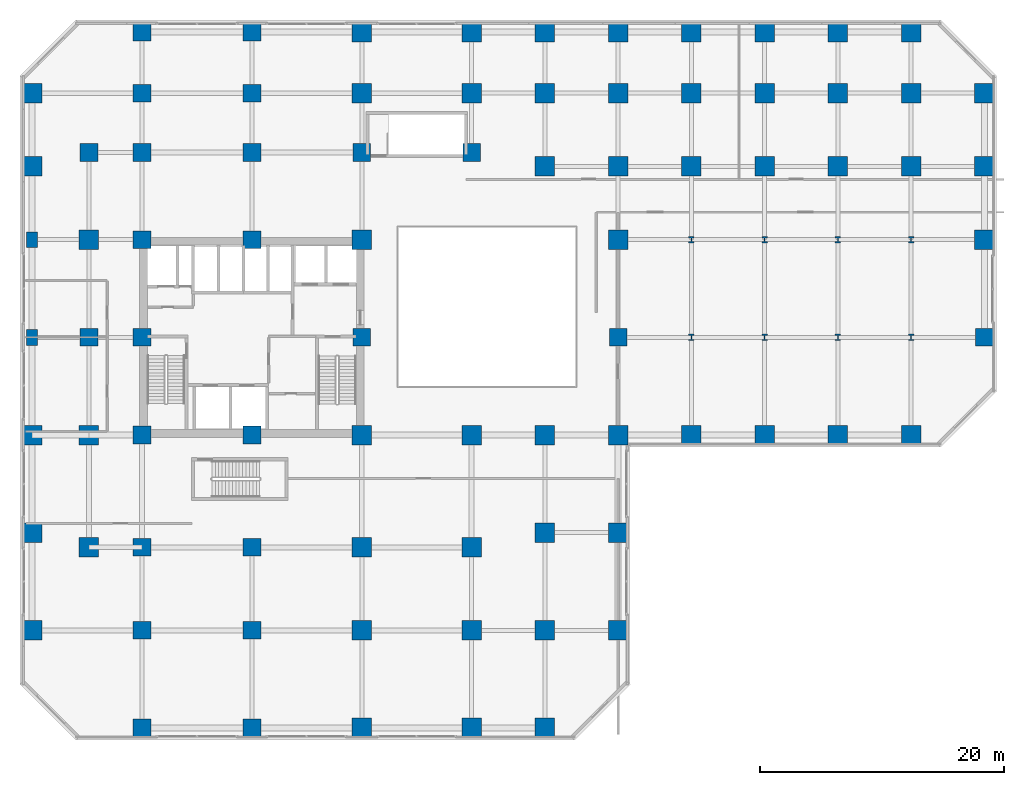
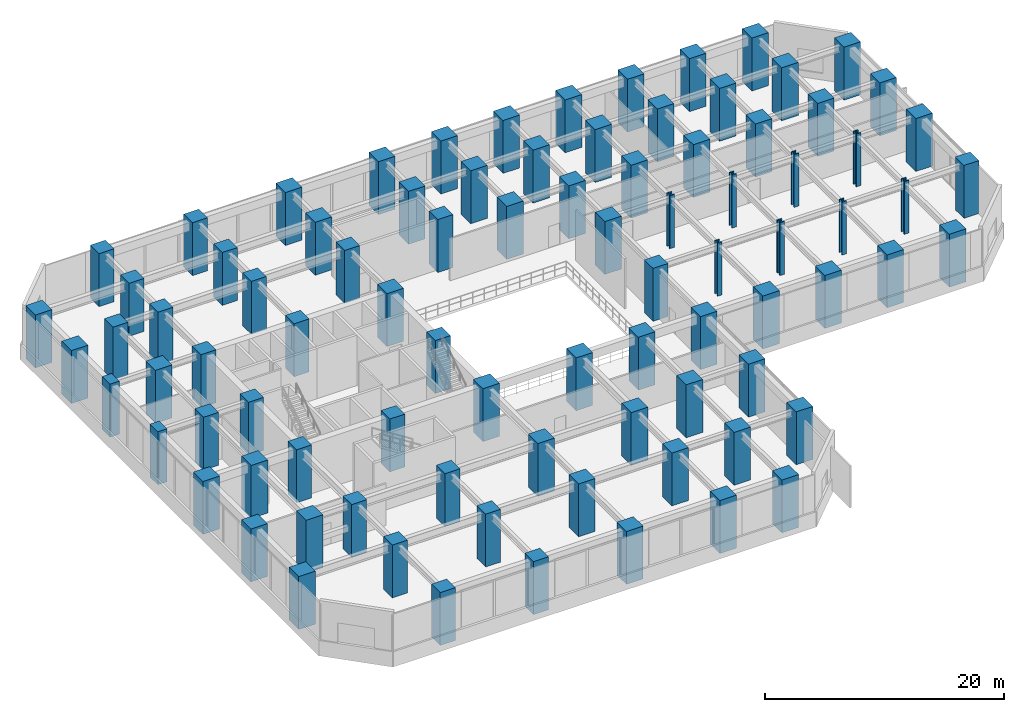
# One storey, part 1 of 33: 88 columns.
"""IFC4 building model written with IfcOpenShell, lengths in metres."""

import ifcopenshell
import ifcopenshell.guid

model = None  # the IFC model being written
_history = None  # IfcOwnerHistory: only IFC2X3 demands one
_inside = {}  # id of a spatial element -> (the spatial element, [elements in it])
_under = {}  # id of a project, library or spatial element -> (it, [spatial elements below it])
_declared = {}  # id of a project -> (the project, [libraries it declares])
_typed = {}  # id of a type object -> (the type object, [elements of that type])
_made_of = {}  # id of a material, layer set ... -> (it, [elements and type objects made of it])


def new_model(schema):
    """Start an empty IFC model of exactly this schema.

    Asked for "IFC4X3", IfcOpenShell would pick the latest addendum, in which some entities
    have other attributes; the version numbers below select the first issue.
    IFC2X3 requires an IfcOwnerHistory on every rooted entity: one is made here for all.
    """
    global model, _history
    if schema == "IFC4X3":
        model = ifcopenshell.file(schema_version=(4, 3, 0, 0))
    else:
        model = ifcopenshell.file(schema=schema)
    _inside.clear()
    _under.clear()
    _declared.clear()
    _typed.clear()
    _made_of.clear()
    _history = None
    if model.schema == "IFC2X3":
        org = make("IfcOrganization", Name="unknown")
        user = make(
            "IfcPersonAndOrganization",
            ThePerson=make("IfcPerson", FamilyName="unknown"),
            TheOrganization=org,
        )
        app = make(
            "IfcApplication",
            ApplicationDeveloper=org,
            Version="unknown",
            ApplicationFullName="unknown",
            ApplicationIdentifier="unknown",
        )
        _history = make(
            "IfcOwnerHistory",
            OwningUser=user,
            OwningApplication=app,
            ChangeAction="ADDED",
            CreationDate=0,
        )
    return model


def make(cls, **values):
    """One entity of the class cls with the attributes given. An attribute that is None is left unset."""
    return model.create_entity(
        cls, **{name: value for name, value in values.items() if value is not None}
    )


def rooted(cls, **values):
    """An entity with a GlobalId (a new one), such as an element, a storey or a relation."""
    return make(cls, GlobalId=ifcopenshell.guid.new(), OwnerHistory=_history, **values)


def si_unit(unit_type, name, prefix=None):
    """IfcSIUnit, for example si_unit("LENGTHUNIT", "METRE", prefix="MILLI")."""
    return make("IfcSIUnit", UnitType=unit_type, Prefix=prefix, Name=name)


def assignment(units):
    """IfcUnitAssignment: the units of a project."""
    return None if units is None else make("IfcUnitAssignment", Units=units)


def point(xyz):
    """IfcCartesianPoint."""
    return None if xyz is None else make("IfcCartesianPoint", Coordinates=xyz)


def direction(xyz):
    """IfcDirection."""
    return None if xyz is None else make("IfcDirection", DirectionRatios=xyz)


def frame(location, z_axis=None, x_axis=None):
    """IfcAxis2Placement3D, a coordinate frame: its origin and axes. An axis left out is left unset."""
    return make(
        "IfcAxis2Placement3D",
        Location=point(location),
        Axis=direction(z_axis),
        RefDirection=direction(x_axis),
    )


def frame_2d(location, x_axis=None):
    """IfcAxis2Placement2D, a coordinate frame in the plane: its origin and x axis."""
    return make(
        "IfcAxis2Placement2D", Location=point(location), RefDirection=direction(x_axis)
    )


def origin():
    """The frame at (0, 0, 0) with its axes left unset."""
    return frame((0.0, 0.0, 0.0))


def origin_2d():
    """The frame at (0, 0) in the plane with its x axis left unset."""
    return frame_2d((0.0, 0.0))


def place(relative_to, where):
    """IfcLocalPlacement: puts the frame where relative to a parent placement (None: the world)."""
    return make(
        "IfcLocalPlacement", PlacementRelTo=relative_to, RelativePlacement=where
    )


def context(
    kind, dimensions, precision=None, world=None, true_north=None, identifier=None
):
    """IfcGeometricRepresentationContext, for example the 3D "Model" context."""
    return make(
        "IfcGeometricRepresentationContext",
        ContextIdentifier=identifier,
        ContextType=kind,
        CoordinateSpaceDimension=dimensions,
        Precision=precision,
        WorldCoordinateSystem=world,
        TrueNorth=true_north,
    )


def subcontext(parent, identifier, kind, view, scale=None):
    """IfcGeometricRepresentationSubContext, for example "Body" below "Model"."""
    return make(
        "IfcGeometricRepresentationSubContext",
        ContextIdentifier=identifier,
        ContextType=kind,
        ParentContext=parent,
        TargetScale=scale,
        TargetView=view,
    )


def project(units=None, contexts=None):
    """IfcProject with its units and contexts."""
    return rooted(
        "IfcProject",
        Name="project",
        RepresentationContexts=contexts,
        UnitsInContext=assignment(units),
    )


def spatial(cls, under=None, at=None, **own):
    """A site, building, storey or space (cls), placed at a placement, below another one or the project."""
    s = rooted(cls, ObjectPlacement=at, **own)
    if under is not None:
        _under.setdefault(under.id(), (under, []))[1].append(s)
    return s


def profile(cls, at=None, kind="AREA", **sizes):
    """A parametric profile (cls). Its sizes go by their IFC names, for example OverallWidth=200.0."""
    return make(cls, ProfileType=kind, Position=at, **sizes)


def rectangle(**sizes):
    """IfcRectangleProfileDef."""
    return profile("IfcRectangleProfileDef", **sizes)


def i_section(**sizes):
    """IfcIShapeProfileDef."""
    return profile("IfcIShapeProfileDef", **sizes)


def extrude(swept, where, along, depth):
    """IfcExtrudedAreaSolid: the profile swept, set in the frame where, extruded along a direction by depth."""
    return make(
        "IfcExtrudedAreaSolid",
        SweptArea=swept,
        Position=where,
        ExtrudedDirection=direction(along),
        Depth=depth,
    )


def shape(context_of_items, identifier, shape_type, items):
    """IfcShapeRepresentation: the items that make up one representation, for example the "Body"."""
    return make(
        "IfcShapeRepresentation",
        ContextOfItems=context_of_items,
        RepresentationIdentifier=identifier,
        RepresentationType=shape_type,
        Items=items,
    )


def source(mapping_origin, context_of_items, identifier, shape_type, items):
    """IfcRepresentationMap: a shape defined once, which mapped items show again and again."""
    return make(
        "IfcRepresentationMap",
        MappingOrigin=mapping_origin,
        MappedRepresentation=shape(context_of_items, identifier, shape_type, items),
    )


def transform(
    local_origin,
    x_axis=None,
    y_axis=None,
    z_axis=None,
    scale=None,
    scale2=None,
    scale3=None,
    uniform=True,
):
    """IfcCartesianTransformationOperator3D, or its non-uniform kind. x_axis, y_axis, z_axis: its Axis1, 2, 3."""
    if uniform:
        return make(
            "IfcCartesianTransformationOperator3D",
            Axis1=direction(x_axis),
            Axis2=direction(y_axis),
            LocalOrigin=point(local_origin),
            Scale=scale,
            Axis3=direction(z_axis),
        )
    return make(
        "IfcCartesianTransformationOperator3DnonUniform",
        Axis1=direction(x_axis),
        Axis2=direction(y_axis),
        LocalOrigin=point(local_origin),
        Scale=scale,
        Axis3=direction(z_axis),
        Scale2=scale2,
        Scale3=scale3,
    )


def mapped(mapping_source, mapping_target):
    """IfcMappedItem: shows the shape of a source again, moved by a transform."""
    return make(
        "IfcMappedItem", MappingSource=mapping_source, MappingTarget=mapping_target
    )


def material(Name=None, Category=None):
    """IfcMaterial."""
    return make("IfcMaterial", Name=Name, Category=Category)


def material_profile(
    of_material, cross_section, Name=None, Category=None, Priority=None
):
    """IfcMaterialProfile: a cross section and its material."""
    return make(
        "IfcMaterialProfile",
        Name=Name,
        Material=of_material,
        Profile=cross_section,
        Priority=Priority,
        Category=Category,
    )


def profile_set(profiles, Name=None, composite=None):
    """IfcMaterialProfileSet."""
    return make(
        "IfcMaterialProfileSet",
        Name=Name,
        MaterialProfiles=profiles,
        CompositeProfile=composite,
    )


def made_of(thing, what):
    """Note that an element or type object is made of a material, layer set ...; save() writes the relation."""
    if what is not None:
        _made_of.setdefault(what.id(), (what, []))[1].append(thing)
    return thing


def type_object(cls, material=None, **own):
    """A type object (cls), such as IfcWallType, which elements share."""
    return made_of(rooted(cls, **own), material)


def element(
    cls,
    number,
    at=None,
    inside=None,
    cuts=None,
    type_object=None,
    material=None,
    context=None,
    identifier="Body",
    shape_type=None,
    held_by="IfcProductDefinitionShape",
    body=None,
    shapes=None,
    **own,
):
    """One element of the class cls, such as IfcWall. Its Tag is "e" and its number.

    at: its placement. inside: the storey or other place that contains it. cuts: it is an
    opening in that element (IfcRelVoidsElement). A single representation is given by context,
    identifier, shape_type and body (its items); several are given by shapes. held_by: the class
    of the entity that holds the representations. save() writes the other relations.
    """
    e = rooted(cls, Tag="e%d" % number, ObjectPlacement=at, **own)
    if body is not None:
        shapes = [shape(context, identifier, shape_type, body)]
    if shapes is not None:
        e.Representation = make(held_by, Representations=shapes)
    if inside is not None:
        _inside.setdefault(inside.id(), (inside, []))[1].append(e)
    if cuts is not None:
        rooted(
            "IfcRelVoidsElement", RelatingBuildingElement=cuts, RelatedOpeningElement=e
        )
    if type_object is not None:
        _typed.setdefault(type_object.id(), (type_object, []))[1].append(e)
    return made_of(e, material)


def aggregate(whole, parts):
    """IfcRelAggregates: a whole, such as a stair, and the parts it consists of."""
    return rooted("IfcRelAggregates", RelatingObject=whole, RelatedObjects=parts)


def save(model, path):
    """Write the relations noted so far, then the file.

    IfcRelAggregates (storeys below a building ...), IfcRelContainedInSpatialStructure (elements
    in a storey), IfcRelDefinesByType, IfcRelAssociatesMaterial and IfcRelDeclares: one each for
    every whole, place, type object, material and project.
    """
    for whole, parts in _under.values():
        aggregate(whole, parts)
    for where, things in _inside.values():
        rooted(
            "IfcRelContainedInSpatialStructure",
            RelatedElements=things,
            RelatingStructure=where,
        )
    for kind, things in _typed.values():
        rooted("IfcRelDefinesByType", RelatedObjects=things, RelatingType=kind)
    for what, things in _made_of.values():
        rooted("IfcRelAssociatesMaterial", RelatedObjects=things, RelatingMaterial=what)
    for by, libraries in _declared.values():
        rooted("IfcRelDeclares", RelatingContext=by, RelatedDefinitions=libraries)
    model.write(path)


model = new_model("IFC4")

# Units and contexts
model_context = context("Model", 3, precision=1e-05, world=origin(), true_north=direction((0.0, 1.0)))
body_context = subcontext(model_context, "Body", "Model", "MODEL_VIEW")
ifc_project = project(units=[si_unit("LENGTHUNIT", "METRE"), si_unit("AREAUNIT", "SQUARE_METRE"), si_unit("VOLUMEUNIT", "CUBIC_METRE"), si_unit("PLANEANGLEUNIT", "RADIAN"), si_unit("MASSUNIT", "GRAM", prefix="KILO")], contexts=[model_context])

# Site, building, storey
site_placement = place(None, origin())
site = spatial("IfcSite", under=ifc_project, at=site_placement, CompositionType="ELEMENT")
building_placement = place(site_placement, origin())
building = spatial("IfcBuilding", under=site, at=building_placement, Name="Torre Montelarca", CompositionType="ELEMENT")
storey_placement = place(building_placement, frame((0.0, 0.0, 12.0)))
storey = spatial("IfcBuildingStorey", under=building, at=storey_placement, Name="L03", CompositionType="ELEMENT", Elevation=12.0)

# Columns
ifc_material_1 = material(Name="Concrete C70/85", Category="concrete")
ifc_material_profile_1 = material_profile(ifc_material_1, rectangle(XDim=1.60009765625, YDim=1.60009765625, at=origin_2d()), Name="RC1600X1600", Category="concrete")
ifc_profile_set_1 = profile_set([ifc_material_profile_1], Name="Concrete C70/85")
column_type_1 = type_object("IfcColumnType", Name="COL-RC1600-EXT", PredefinedType="COLUMN", material=ifc_profile_set_1)
shared_shape_1 = source(origin(), body_context, "Body", "SweptSolid", [
    extrude(rectangle(XDim=1.60009765625, YDim=1.60009765625, at=origin_2d()), origin(), (0.0, 0.0, 1.0), 5.3984375),
])
for number, where, z_axis, x_axis, name in (
    (1, (0.0, 8.0, 0.000732421875), (0.0, 0.0, 1.0), (1.0, 0.0, 0.0), "L03 Perimeter Mega Column 1/B"),
    (2, (0.0, 16.0, 0.000732421875), (0.0, 0.0, 1.0), (1.0, 0.0, 0.0), "L03 Perimeter Mega Column 1/C"),
    (3, (0.0, 24.0, 0.000732421875), (0.0, 0.0, 1.0), (1.0, 0.0, 0.0), "L03 Perimeter Mega Column 1/D"),
    (4, (0.0, 46.0, 0.000732421875), (0.0, 0.0, 1.0), (1.0, 0.0, 0.0), "L03 Perimeter Mega Column 1/G"),
    (5, (0.0, 52.0, 0.000732421875), (0.0, 0.0, 1.0), (1.0, 0.0, 0.0), "L03 Perimeter Mega Column 1/H"),
    (6, (27.0, 0.0, 0.000732421875), (0.0, 0.0, 1.0), (1.0, 0.0, 0.0), "L03 Perimeter Mega Column 4/A"),
    (7, (27.0, 24.0, 0.000732421875), (0.0, 0.0, 1.0), (1.0, 0.0, 0.0), "L03 Perimeter Mega Column 4/D"),
    (8, (27.0, 57.0, 0.000732421875), (0.0, 0.0, 1.0), (1.0, 0.0, 0.0), "L03 Perimeter Mega Column 4/J"),
    (9, (36.0, 0.0, 0.000732421875), (0.0, 0.0, 1.0), (1.0, 0.0, 0.0), "L03 Perimeter Mega Column 5/A"),
    (10, (36.0, 24.0, 0.000732421875), (0.0, 0.0, 1.0), (1.0, 0.0, 0.0), "L03 Perimeter Mega Column 5/D"),
    (11, (36.0, 57.0, 0.000732421875), (0.0, 0.0, 1.0), (1.0, 0.0, 0.0), "L03 Perimeter Mega Column 5/J"),
    (12, (42.0, 0.0, 0.000732421875), (0.0, 0.0, 1.0), (1.0, 0.0, 0.0), "L03 Perimeter Mega Column 6/A"),
    (13, (42.0, 24.0, 0.000732421875), (0.0, 0.0, 1.0), (1.0, 0.0, 0.0), "L03 Perimeter Mega Column 6/D"),
    (14, (42.0, 57.0, 0.000732421875), (0.0, 0.0, 1.0), (1.0, 0.0, 0.0), "L03 Perimeter Mega Column 6/J"),
    (15, (48.0, 8.0, 0.000732421875), (0.0, 0.0, 1.0), (1.0, 0.0, 0.0), "L03 Perimeter Mega Column 7/B"),
    (16, (48.0, 16.0, 0.000732421875), (0.0, 0.0, 1.0), (1.0, 0.0, 0.0), "L03 Perimeter Mega Column 7/C"),
    (17, (48.0, 24.0, 0.000732421875), (0.0, 0.0, 1.0), (1.0, 0.0, 0.0), "L03 Perimeter Mega Column 7/D"),
    (18, (48.0, 57.0, 0.000732421875), (0.0, 0.0, 1.0), (1.0, 0.0, 0.0), "L03 Perimeter Mega Column 7/J"),
    (19, (54.0, 24.0, 0.000732421875), (0.0, 0.0, 1.0), (1.0, 0.0, 0.0), "L03 Perimeter Mega Column 8/D"),
    (20, (54.0, 57.0, 0.000732421875), (0.0, 0.0, 1.0), (1.0, 0.0, 0.0), "L03 Perimeter Mega Column 8/J"),
    (21, (60.0, 24.0, 0.000732421875), (0.0, 0.0, 1.0), (1.0, 0.0, 0.0), "L03 Perimeter Mega Column 9/D"),
    (22, (60.0, 57.0, 0.000732421875), (0.0, 0.0, 1.0), (1.0, 0.0, 0.0), "L03 Perimeter Mega Column 9/J"),
    (23, (66.0, 24.0, 0.000732421875), (0.0, 0.0, 1.0), (1.0, 0.0, 0.0), "L03 Perimeter Mega Column 10/D"),
    (24, (66.0, 57.0, 0.000732421875), (0.0, 0.0, 1.0), (1.0, 0.0, 0.0), "L03 Perimeter Mega Column 10/J"),
    (25, (72.0, 24.0, 0.000732421875), (0.0, 0.0, 1.0), (1.0, 0.0, 0.0), "L03 Perimeter Mega Column 11/D"),
    (26, (72.0, 57.0, 0.000732421875), (0.0, 0.0, 1.0), (1.0, 0.0, 0.0), "L03 Perimeter Mega Column 11/J"),
    (27, (78.0, 40.0, 0.000732421875), (0.0, 0.0, 1.0), (1.0, 0.0, 0.0), "L03 Perimeter Mega Column 12/F"),
    (28, (78.0, 46.0, 0.000732421875), (0.0, 0.0, 1.0), (1.0, 0.0, 0.0), "L03 Perimeter Mega Column 12/G"),
    (29, (78.0, 52.0, 0.000732421875), (0.0, 0.0, 1.0), (1.0, 0.0, 0.0), "L03 Perimeter Mega Column 12/H"),
    (30, (4.64990234375, 24.0, 0.000732421875), (0.0, 0.0, 1.0), (1.0, 0.0, 0.0), "L03 Perimeter Mega Column 1W/D"),
):
    element("IfcColumn", number, at=place(storey_placement, frame(where, z_axis=z_axis, x_axis=x_axis)), inside=storey, type_object=column_type_1, Name=name, PredefinedType="COLUMN", context=body_context, shape_type="MappedRepresentation", body=[
        mapped(shared_shape_1, transform((0.0, 0.0, 0.0), scale=1.0)),
    ])
ifc_material_2 = material(Name="Concrete C55/67", Category="concrete")
ifc_material_profile_2 = material_profile(ifc_material_2, rectangle(XDim=0.89990234375, YDim=1.300048828125, at=origin_2d()), Name="RC1300X900", Category="concrete")
ifc_profile_set_2 = profile_set([ifc_material_profile_2], Name="Concrete C55/67")
column_type_2 = type_object("IfcColumnType", Name="COL-PIL1300-EXT", PredefinedType="PILASTER", material=ifc_profile_set_2)
shared_shape_2 = source(origin(), body_context, "Body", "SweptSolid", [
    extrude(rectangle(XDim=0.89990234375, YDim=1.300048828125, at=origin_2d()), origin(), (0.0, 0.0, 1.0), 5.3984375),
])
for number, where, z_axis, x_axis, name in (
    (31, (0.0, 32.0, 0.000732421875), (0.0, 0.0, 1.0), (1.0, 0.0, 0.0), "L03 Column 1/E"),
    (32, (0.0, 40.0, 0.000732421875), (0.0, 0.0, 1.0), (1.0, 0.0, 0.0), "L03 Column 1/F"),
):
    element("IfcColumn", number, at=place(storey_placement, frame(where, z_axis=z_axis, x_axis=x_axis)), inside=storey, type_object=column_type_2, Name=name, PredefinedType="PILASTER", context=body_context, shape_type="MappedRepresentation", body=[
        mapped(shared_shape_2, transform((0.0, 0.0, 0.0), scale=1.0)),
    ])
ifc_material_profile_3 = material_profile(ifc_material_1, rectangle(XDim=1.449951171875, YDim=1.449951171875, at=origin_2d()), Name="RC1450X1450", Category="concrete")
ifc_profile_set_3 = profile_set([ifc_material_profile_3], Name="Concrete C70/85")
column_type_3 = type_object("IfcColumnType", Name="COL-RC1450-EXT", PredefinedType="COLUMN", material=ifc_profile_set_3)
shared_shape_3 = source(origin(), body_context, "Body", "SweptSolid", [
    extrude(rectangle(XDim=1.449951171875, YDim=1.449951171875, at=origin_2d()), origin(), (0.0, 0.0, 1.0), 5.3984375),
])
for number, where, z_axis, x_axis, name in (
    (33, (9.0, 0.0, 0.000732421875), (0.0, 0.0, 1.0), (1.0, 0.0, 0.0), "L03 Perimeter Mega Column 2/A"),
    (34, (9.0, 24.0, 0.000732421875), (0.0, 0.0, 1.0), (1.0, 0.0, 0.0), "L03 Perimeter Mega Column 2/D"),
    (35, (9.0, 57.0, 0.000732421875), (0.0, 0.0, 1.0), (1.0, 0.0, 0.0), "L03 Perimeter Mega Column 2/J"),
    (36, (18.0, 0.0, 0.000732421875), (0.0, 0.0, 1.0), (1.0, 0.0, 0.0), "L03 Perimeter Mega Column 3/A"),
    (37, (18.0, 24.0, 0.000732421875), (0.0, 0.0, 1.0), (1.0, 0.0, 0.0), "L03 Perimeter Mega Column 3/D"),
    (38, (18.0, 57.0, 0.000732421875), (0.0, 0.0, 1.0), (1.0, 0.0, 0.0), "L03 Perimeter Mega Column 3/J"),
    (39, (78.0, 32.0, 0.000732421875), (0.0, 0.0, 1.0), (1.0, 0.0, 0.0), "L03 Perimeter Mega Column 12/E"),
):
    element("IfcColumn", number, at=place(storey_placement, frame(where, z_axis=z_axis, x_axis=x_axis)), inside=storey, type_object=column_type_3, Name=name, PredefinedType="COLUMN", context=body_context, shape_type="MappedRepresentation", body=[
        mapped(shared_shape_3, transform((0.0, 0.0, 0.0), scale=1.0)),
    ])
ifc_material_profile_4 = material_profile(ifc_material_1, rectangle(XDim=1.449951171875, YDim=1.449951171875, at=origin_2d()), Name="RC1450X1450", Category="concrete")
ifc_profile_set_4 = profile_set([ifc_material_profile_4], Name="Concrete C70/85")
column_type_4 = type_object("IfcColumnType", Name="COL-RC1450", PredefinedType="COLUMN", material=ifc_profile_set_4)
shared_shape_4 = source(origin(), body_context, "Body", "SweptSolid", [
    extrude(rectangle(XDim=1.449951171875, YDim=1.449951171875, at=origin_2d()), origin(), (0.0, 0.0, 1.0), 5.3984375),
])
for number, where, z_axis, x_axis, name in (
    (40, (9.0, 8.0, 0.000732421875), (0.0, 0.0, 1.0), (1.0, 0.0, 0.0), "L03 Column 2/B"),
    (41, (9.0, 32.0, 0.000732421875), (0.0, 0.0, 1.0), (1.0, 0.0, 0.0), "L03 Column 2/E"),
    (42, (9.0, 40.0, 0.000732421875), (0.0, 0.0, 1.0), (1.0, 0.0, 0.0), "L03 Column 2/F"),
    (43, (9.0, 52.0, 0.000732421875), (0.0, 0.0, 1.0), (1.0, 0.0, 0.0), "L03 Column 2/H"),
    (44, (9.0, 14.800048828125, 0.000732421875), (0.0, 0.0, 1.0), (1.0, 0.0, 0.0), "L03 Column 2/CS"),
    (45, (9.0, 47.14990234375, 0.000732421875), (0.0, 0.0, 1.0), (1.0, 0.0, 0.0), "L03 Column 2/GN"),
    (46, (18.0, 8.0, 0.000732421875), (0.0, 0.0, 1.0), (1.0, 0.0, 0.0), "L03 Column 3/B"),
    (47, (18.0, 40.0, 0.000732421875), (0.0, 0.0, 1.0), (1.0, 0.0, 0.0), "L03 Column 3/F"),
    (48, (18.0, 52.0, 0.000732421875), (0.0, 0.0, 1.0), (1.0, 0.0, 0.0), "L03 Column 3/H"),
    (49, (18.0, 14.800048828125, 0.000732421875), (0.0, 0.0, 1.0), (1.0, 0.0, 0.0), "L03 Column 3/CS"),
    (50, (18.0, 47.14990234375, 0.000732421875), (0.0, 0.0, 1.0), (1.0, 0.0, 0.0), "L03 Column 3/GN"),
    (51, (27.0, 32.0, 0.000732421875), (0.0, 0.0, 1.0), (1.0, 0.0, 0.0), "L03 Column 4/E"),
    (52, (27.0, 47.14990234375, 0.000732421875), (0.0, 0.0, 1.0), (1.0, 0.0, 0.0), "L03 Column 4/GN"),
    (53, (36.0, 47.14990234375, 0.000732421875), (0.0, 0.0, 1.0), (1.0, 0.0, 0.0), "L03 Column 5/GN"),
    (54, (48.0, 32.0, 0.000732421875), (0.0, 0.0, 1.0), (1.0, 0.0, 0.0), "L03 Column 7/E"),
    (55, (4.64990234375, 32.0, 0.000732421875), (0.0, 0.0, 1.0), (1.0, 0.0, 0.0), "L03 Column 1W/E"),
    (56, (4.64990234375, 47.14990234375, 0.000732421875), (0.0, 0.0, 1.0), (1.0, 0.0, 0.0), "L03 Column 1W/GN"),
):
    element("IfcColumn", number, at=place(storey_placement, frame(where, z_axis=z_axis, x_axis=x_axis)), inside=storey, type_object=column_type_4, Name=name, PredefinedType="COLUMN", context=body_context, shape_type="MappedRepresentation", body=[
        mapped(shared_shape_4, transform((0.0, 0.0, 0.0), scale=1.0)),
    ])
ifc_material_profile_5 = material_profile(ifc_material_1, rectangle(XDim=1.60009765625, YDim=1.60009765625, at=origin_2d()), Name="RC1600X1600", Category="concrete")
ifc_profile_set_5 = profile_set([ifc_material_profile_5], Name="Concrete C70/85")
column_type_5 = type_object("IfcColumnType", Name="COL-RC1600", PredefinedType="COLUMN", material=ifc_profile_set_5)
shared_shape_5 = source(origin(), body_context, "Body", "SweptSolid", [
    extrude(rectangle(XDim=1.60009765625, YDim=1.60009765625, at=origin_2d()), origin(), (0.0, 0.0, 1.0), 5.3984375),
])
for number, where, z_axis, x_axis, name in (
    (57, (27.0, 8.0, 0.000732421875), (0.0, 0.0, 1.0), (1.0, 0.0, 0.0), "L03 Column 4/B"),
    (58, (27.0, 40.0, 0.000732421875), (0.0, 0.0, 1.0), (1.0, 0.0, 0.0), "L03 Column 4/F"),
    (59, (27.0, 52.0, 0.000732421875), (0.0, 0.0, 1.0), (1.0, 0.0, 0.0), "L03 Column 4/H"),
    (60, (27.0, 14.800048828125, 0.000732421875), (0.0, 0.0, 1.0), (1.0, 0.0, 0.0), "L03 Column 4/CS"),
    (61, (36.0, 8.0, 0.000732421875), (0.0, 0.0, 1.0), (1.0, 0.0, 0.0), "L03 Column 5/B"),
    (62, (36.0, 52.0, 0.000732421875), (0.0, 0.0, 1.0), (1.0, 0.0, 0.0), "L03 Column 5/H"),
    (63, (36.0, 14.800048828125, 0.000732421875), (0.0, 0.0, 1.0), (1.0, 0.0, 0.0), "L03 Column 5/CS"),
    (64, (42.0, 8.0, 0.000732421875), (0.0, 0.0, 1.0), (1.0, 0.0, 0.0), "L03 Column 6/B"),
    (65, (42.0, 16.0, 0.000732421875), (0.0, 0.0, 1.0), (1.0, 0.0, 0.0), "L03 Column 6/C"),
    (66, (42.0, 46.0, 0.000732421875), (0.0, 0.0, 1.0), (1.0, 0.0, 0.0), "L03 Column 6/G"),
    (67, (42.0, 52.0, 0.000732421875), (0.0, 0.0, 1.0), (1.0, 0.0, 0.0), "L03 Column 6/H"),
    (68, (48.0, 40.0, 0.000732421875), (0.0, 0.0, 1.0), (1.0, 0.0, 0.0), "L03 Column 7/F"),
    (69, (48.0, 46.0, 0.000732421875), (0.0, 0.0, 1.0), (1.0, 0.0, 0.0), "L03 Column 7/G"),
    (70, (48.0, 52.0, 0.000732421875), (0.0, 0.0, 1.0), (1.0, 0.0, 0.0), "L03 Column 7/H"),
    (71, (54.0, 46.0, 0.000732421875), (0.0, 0.0, 1.0), (1.0, 0.0, 0.0), "L03 Column 8/G"),
    (72, (54.0, 52.0, 0.000732421875), (0.0, 0.0, 1.0), (1.0, 0.0, 0.0), "L03 Column 8/H"),
    (73, (60.0, 46.0, 0.000732421875), (0.0, 0.0, 1.0), (1.0, 0.0, 0.0), "L03 Column 9/G"),
    (74, (60.0, 52.0, 0.000732421875), (0.0, 0.0, 1.0), (1.0, 0.0, 0.0), "L03 Column 9/H"),
    (75, (66.0, 46.0, 0.000732421875), (0.0, 0.0, 1.0), (1.0, 0.0, 0.0), "L03 Column 10/G"),
    (76, (66.0, 52.0, 0.000732421875), (0.0, 0.0, 1.0), (1.0, 0.0, 0.0), "L03 Column 10/H"),
    (77, (72.0, 46.0, 0.000732421875), (0.0, 0.0, 1.0), (1.0, 0.0, 0.0), "L03 Column 11/G"),
    (78, (72.0, 52.0, 0.000732421875), (0.0, 0.0, 1.0), (1.0, 0.0, 0.0), "L03 Column 11/H"),
    (79, (4.64990234375, 40.0, 0.000732421875), (0.0, 0.0, 1.0), (1.0, 0.0, 0.0), "L03 Column 1W/F"),
    (80, (4.64990234375, 14.800048828125, 0.000732421875), (0.0, 0.0, 1.0), (1.0, 0.0, 0.0), "L03 Column 1W/CS"),
):
    element("IfcColumn", number, at=place(storey_placement, frame(where, z_axis=z_axis, x_axis=x_axis)), inside=storey, type_object=column_type_5, Name=name, PredefinedType="COLUMN", context=body_context, shape_type="MappedRepresentation", body=[
        mapped(shared_shape_5, transform((0.0, 0.0, 0.0), scale=1.0)),
    ])
ifc_material_3 = material(Name="Steel ASTM A992 Grade 50", Category="steel")
ifc_material_profile_6 = material_profile(ifc_material_3, i_section(OverallWidth=0.44189453125, OverallDepth=0.531005859375, WebThickness=0.06591796875, FlangeThickness=0.10595703125, FilletRadius=0.014892578125, at=origin_2d()), Name="W360X900", Category="steel")
ifc_profile_set_6 = profile_set([ifc_material_profile_6], Name="Steel ASTM A992 Grade 50")
column_type_6 = type_object("IfcColumnType", Name="COL-W360X900", PredefinedType="COLUMN", material=ifc_profile_set_6)
shared_shape_6 = source(origin(), body_context, "Body", "SweptSolid", [
    extrude(i_section(OverallWidth=0.44189453125, OverallDepth=0.531005859375, WebThickness=0.06591796875, FlangeThickness=0.10595703125, FilletRadius=0.014892578125, at=origin_2d()), origin(), (0.0, 0.0, 1.0), 5.3984375),
])
for number, where, z_axis, x_axis, name in (
    (81, (54.0, 32.0, 0.000732421875), (0.0, 0.0, 1.0), (1.0, 0.0, 0.0), "L03 Column 8/E"),
    (82, (54.0, 40.0, 0.000732421875), (0.0, 0.0, 1.0), (1.0, 0.0, 0.0), "L03 Column 8/F"),
    (83, (60.0, 32.0, 0.000732421875), (0.0, 0.0, 1.0), (1.0, 0.0, 0.0), "L03 Column 9/E"),
    (84, (60.0, 40.0, 0.000732421875), (0.0, 0.0, 1.0), (1.0, 0.0, 0.0), "L03 Column 9/F"),
    (85, (66.0, 32.0, 0.000732421875), (0.0, 0.0, 1.0), (1.0, 0.0, 0.0), "L03 Column 10/E"),
    (86, (66.0, 40.0, 0.000732421875), (0.0, 0.0, 1.0), (1.0, 0.0, 0.0), "L03 Column 10/F"),
    (87, (72.0, 32.0, 0.000732421875), (0.0, 0.0, 1.0), (1.0, 0.0, 0.0), "L03 Column 11/E"),
    (88, (72.0, 40.0, 0.000732421875), (0.0, 0.0, 1.0), (1.0, 0.0, 0.0), "L03 Column 11/F"),
):
    element("IfcColumn", number, at=place(storey_placement, frame(where, z_axis=z_axis, x_axis=x_axis)), inside=storey, type_object=column_type_6, Name=name, PredefinedType="COLUMN", context=body_context, shape_type="MappedRepresentation", body=[
        mapped(shared_shape_6, transform((0.0, 0.0, 0.0), scale=1.0)),
    ])

save(model, "model.ifc")
